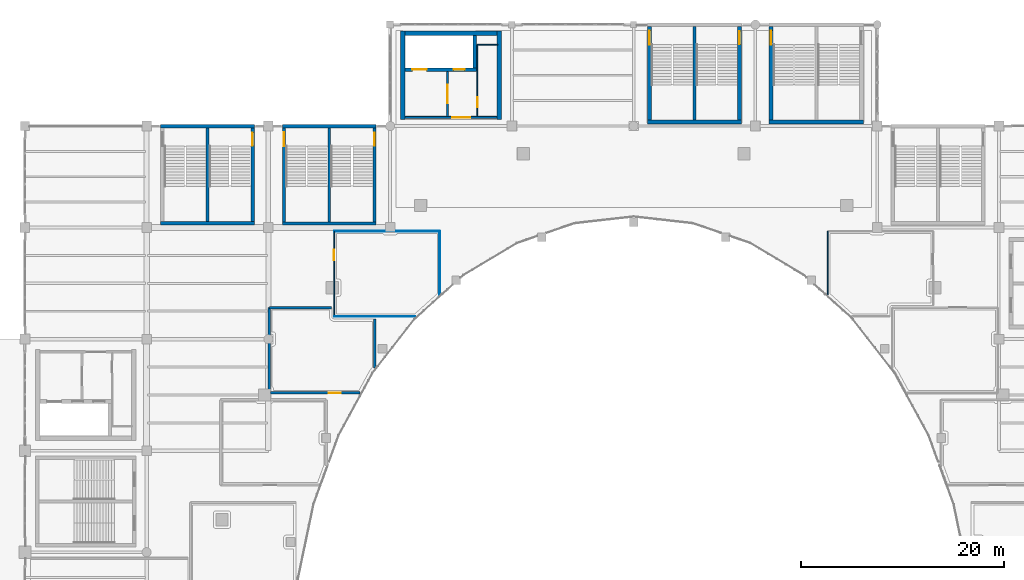
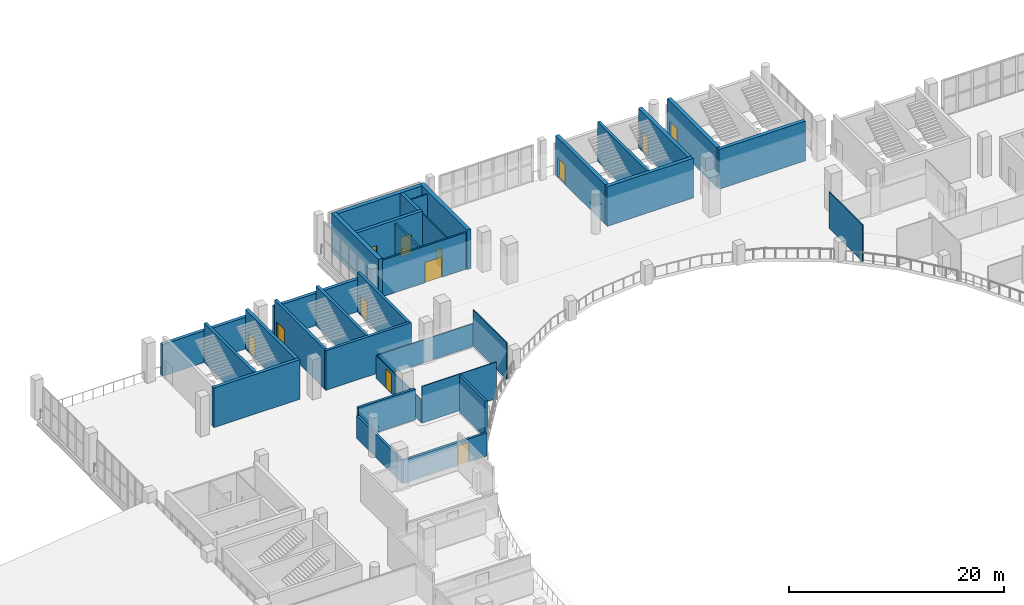
# One storey, part 64 of 90: 33 walls, 13 doors, 13 openings.
"""IFC4 building model written with IfcOpenShell, lengths in metres."""

from ifc_helpers import new_model, si_unit, direction, frame, frame_2d, origin, place, context, subcontext, project, spatial, rectangle, extrude, material, layer, layer_set, type_object, element, fill, save


model = new_model("IFC4")

# Units and contexts
model_context = context("Model", 3, precision=1e-05, world=origin(), true_north=direction((0.0, 1.0)))
body_context = subcontext(model_context, "Body", "Model", "MODEL_VIEW")
ifc_project = project(units=[si_unit("LENGTHUNIT", "METRE"), si_unit("AREAUNIT", "SQUARE_METRE"), si_unit("VOLUMEUNIT", "CUBIC_METRE"), si_unit("PLANEANGLEUNIT", "RADIAN"), si_unit("MASSUNIT", "GRAM", prefix="KILO")], contexts=[model_context])

# Site, building, storey
site_placement = place(None, origin())
site = spatial("IfcSite", under=ifc_project, at=site_placement, CompositionType="ELEMENT")
building_placement = place(site_placement, origin())
building = spatial("IfcBuilding", under=site, at=building_placement, Name="Brinegate Civic Arena", CompositionType="ELEMENT")
storey_placement = place(building_placement, frame((0.0, 0.0, 14.699951171875)))
storey = spatial("IfcBuildingStorey", under=building, at=storey_placement, Name="L03", CompositionType="ELEMENT", Elevation=14.699951171875)

# Wall
ifc_material_1 = material(Name="Concrete C50/60", Category="concrete")
ifc_layer_1 = layer(ifc_material_1, 0.35009765625, Name="Concrete C50/60")
ifc_layer_set_1 = layer_set([ifc_layer_1], Name="Concrete C50/60")
wall_type_1 = type_object("IfcWallType", Name="WALL-CORE-SHEAR-350", PredefinedType="SHEAR", material=ifc_layer_set_1)
wall_1_placement = place(storey_placement, frame((61.375, 104.39990234375, 0.0), z_axis=(0.0, 0.0, 1.0), x_axis=(1.0, 0.0, 0.0)))
element("IfcWall", 1, at=wall_1_placement, inside=storey, type_object=wall_type_1, Name="Stair ST-01 South Shear Wall L03 (WBB-17)", PredefinedType="SHEAR", context=body_context, shape_type="SweptSolid", body=[
    extrude(rectangle(XDim=9.25, YDim=0.35009765625, at=frame_2d((4.625, 0.0))), origin(), (0.0, 0.0, 1.0), 4.5),
])

# Wall, opening, door
wall_2_placement = place(storey_placement, frame((70.449951171875, 104.574951171875, 0.0), z_axis=(0.0, 0.0, 1.0), x_axis=(0.0, 1.0, 0.0)))
wall_2 = element("IfcWall", 2, at=wall_2_placement, inside=storey, type_object=wall_type_1, Name="Stair ST-01 East Shear Wall L03 (WBB-20)", PredefinedType="SHEAR", context=body_context, shape_type="SweptSolid", body=[
    extrude(rectangle(XDim=9.25, YDim=0.35009765625, at=frame_2d((4.625, 0.0))), origin(), (0.0, 0.0, 1.0), 4.5),
])
opening_1_placement = place(wall_2_placement, frame((7.465087890625, 0.0, 0.0)))
opening_1 = element("IfcOpeningElement", 3, at=opening_1_placement, cuts=wall_2, Name="Opening D-ST01B-L03", PredefinedType="OPENING", context=body_context, shape_type="SweptSolid", body=[
    extrude(rectangle(XDim=1.320068359375, YDim=2.199951171875, at=frame_2d((0.66015625, 1.10009765625))), frame((0.0, 0.18505859375, 0.0), z_axis=(0.0, -1.0, 0.0), x_axis=(1.0, 0.0, 0.0)), (0.0, 0.0, 1.0), 0.3701171875),
])
ifc_material_2 = material(Name="Galvanized hurricane steel", Category="steel")
door_type_1 = type_object("IfcDoorType", Name="DOOR-STAIR-2200X2200", OperationType="NOTDEFINED", PredefinedType="DOOR", material=ifc_material_2)
door_1_placement = place(opening_1_placement, origin())
door_1 = element("IfcDoor", 4, at=door_1_placement, inside=storey, type_object=door_type_1, Name="Protected Exit Stair Door D-ST01B-L03", OperationType="DOUBLE_DOOR_SINGLE_SWING", OverallHeight=2.199951171875, OverallWidth=1.320068359375, PredefinedType="DOOR", context=body_context, shape_type="SweptSolid", body=[
    extrude(rectangle(XDim=1.320068359375, YDim=2.199951171875, at=frame_2d((0.66015625, 1.10009765625))), frame((0.0, 0.02490234375, 0.0), z_axis=(0.0, -1.0, 0.0), x_axis=(1.0, 0.0, 0.0)), (0.0, 0.0, 1.0), 0.050048828125),
])
fill(opening_1, door_1)

# Wall, openings, doors
wall_3_placement = place(storey_placement, frame((85.4599609375, 119.550048828125, 0.0), z_axis=(0.0, 0.0, 1.0), x_axis=(1.0, 0.0, 0.0)))
wall_3 = element("IfcWall", 5, at=wall_3_placement, inside=storey, type_object=wall_type_1, Name="Core K3 Lift Shaft Front Wall L03 (WBG-75)", PredefinedType="SHEAR", context=body_context, shape_type="SweptSolid", body=[
    extrude(rectangle(XDim=7.06494140625, YDim=0.35009765625, at=frame_2d((3.532470703125, 0.0))), origin(), (0.0, 0.0, 1.0), 4.5),
])
opening_2_placement = place(wall_3_placement, frame((0.739990234375, 0.0, 0.0)))
opening_2 = element("IfcOpeningElement", 6, at=opening_2_placement, cuts=wall_3, Name="Opening LD-FL3-L03", PredefinedType="OPENING", context=body_context, shape_type="SweptSolid", body=[
    extrude(rectangle(XDim=1.39990234375, YDim=2.300048828125, at=frame_2d((0.699951171875, 1.14990234375))), frame((0.0, 0.18505859375, 0.0), z_axis=(0.0, -1.0, 0.0), x_axis=(1.0, 0.0, 0.0)), (0.0, 0.0, 1.0), 0.3701171875),
])
opening_3_placement = place(wall_3_placement, frame((4.7900390625, 0.0, 0.0)))
opening_3 = element("IfcOpeningElement", 7, at=opening_3_placement, cuts=wall_3, Name="Opening LD-PL5-L03", PredefinedType="OPENING", context=body_context, shape_type="SweptSolid", body=[
    extrude(rectangle(XDim=1.10009765625, YDim=2.199951171875, at=frame_2d((0.550048828125, 1.10009765625))), frame((0.0, 0.18505859375, 0.0), z_axis=(0.0, -1.0, 0.0), x_axis=(1.0, 0.0, 0.0)), (0.0, 0.0, 1.0), 0.3701171875),
])
ifc_material_3 = material(Name="Architectural stainless steel balustrade", Category="steel")
door_type_2 = type_object("IfcDoorType", Name="DOOR-LIFT-1100X2200", OperationType="SLIDING_TO_LEFT", PredefinedType="DOOR", material=ifc_material_3)
door_2_placement = place(opening_3_placement, origin())
door_2 = element("IfcDoor", 8, at=door_2_placement, inside=storey, type_object=door_type_2, Name="Sliding Lift Landing Door LD-PL5-L03", OperationType="SLIDING_TO_LEFT", OverallHeight=2.199951171875, OverallWidth=1.10009765625, PredefinedType="DOOR", context=body_context, shape_type="SweptSolid", body=[
    extrude(rectangle(XDim=1.10009765625, YDim=2.199951171875, at=frame_2d((0.550048828125, 1.10009765625))), frame((0.0, 0.02490234375, 0.0), z_axis=(0.0, -1.0, 0.0), x_axis=(1.0, 0.0, 0.0)), (0.0, 0.0, 1.0), 0.050048828125),
])
fill(opening_3, door_2)
door_type_3 = type_object("IfcDoorType", Name="DOOR-LIFT-1400X2300", OperationType="SLIDING_TO_LEFT", PredefinedType="DOOR", material=ifc_material_3)
door_3_placement = place(opening_2_placement, origin())
door_3 = element("IfcDoor", 9, at=door_3_placement, inside=storey, type_object=door_type_3, Name="Sliding Lift Landing Door LD-FL3-L03", OperationType="SLIDING_TO_LEFT", OverallHeight=2.300048828125, OverallWidth=1.39990234375, PredefinedType="DOOR", context=body_context, shape_type="SweptSolid", body=[
    extrude(rectangle(XDim=1.39990234375, YDim=2.300048828125, at=frame_2d((0.699951171875, 1.14990234375))), frame((0.0, 0.02490234375, 0.0), z_axis=(0.0, -1.0, 0.0), x_axis=(1.0, 0.0, 0.0)), (0.0, 0.0, 1.0), 0.050048828125),
])
fill(opening_2, door_3)

# Walls
wall_4_placement = place(storey_placement, frame((92.35009765625, 119.72509765625, 0.0), z_axis=(0.0, 0.0, 1.0), x_axis=(0.0, 1.0, 0.0)))
element("IfcWall", 10, at=wall_4_placement, inside=storey, type_object=wall_type_1, Name="Core K3 Lift Shaft End Wall L03 (WBG-76)", PredefinedType="SHEAR", context=body_context, shape_type="SweptSolid", body=[
    extrude(rectangle(XDim=3.21484375, YDim=0.35009765625, at=frame_2d((1.607421875, 0.0))), origin(), (0.0, 0.0, 1.0), 4.5),
])
ifc_layer_2 = layer(ifc_material_1, 0.389892578125, Name="Concrete C50/60")
ifc_layer_set_2 = layer_set([ifc_layer_2], Name="Concrete C50/60")
wall_type_2 = type_object("IfcWallType", Name="WALL-CORE-SHEAR-390", PredefinedType="SHEAR", material=ifc_layer_set_2)
wall_5_placement = place(storey_placement, frame((121.35498046875, 114.39990234375, 0.0), z_axis=(0.0, 0.0, 1.0), x_axis=(1.0, 0.0, 0.0)))
element("IfcWall", 11, at=wall_5_placement, inside=storey, type_object=wall_type_2, Name="Stair ST-03 South Shear Wall L03 (WBB-77)", PredefinedType="SHEAR", context=body_context, shape_type="SweptSolid", body=[
    extrude(rectangle(XDim=9.2900390625, YDim=0.389892578125, at=frame_2d((4.64501953125, 0.0))), origin(), (0.0, 0.0, 1.0), 4.5),
])

# Wall, opening, door
wall_6_placement = place(storey_placement, frame((121.550048828125, 114.594970703125, 0.0), z_axis=(0.0, 0.0, 1.0), x_axis=(0.0, 1.0, 0.0)))
wall_6 = element("IfcWall", 12, at=wall_6_placement, inside=storey, type_object=wall_type_2, Name="Stair ST-03 West Shear Wall L03 (WBB-79)", PredefinedType="SHEAR", context=body_context, shape_type="SweptSolid", body=[
    extrude(rectangle(XDim=9.22998046875, YDim=0.389892578125, at=frame_2d((4.614990234375, 0.0))), origin(), (0.0, 0.0, 1.0), 4.5),
])
opening_4_placement = place(wall_6_placement, frame((7.405029296875, 0.0, 0.0)))
opening_4 = element("IfcOpeningElement", 13, at=opening_4_placement, cuts=wall_6, Name="Opening D-ST03A-L03", PredefinedType="OPENING", context=body_context, shape_type="SweptSolid", body=[
    extrude(rectangle(XDim=1.39990234375, YDim=2.199951171875, at=frame_2d((0.699951171875, 1.10009765625))), frame((0.0, 0.204833984375, 0.0), z_axis=(0.0, -1.0, 0.0), x_axis=(1.0, 0.0, 0.0)), (0.0, 0.0, 1.0), 0.409912109375),
])
door_type_4 = type_object("IfcDoorType", Name="DOOR-STAIR-2400X2200", OperationType="NOTDEFINED", PredefinedType="DOOR", material=ifc_material_2)
door_4_placement = place(opening_4_placement, frame((1.39990234375, 0.0, 0.0), z_axis=(0.0, 0.0, 1.0), x_axis=(-1.0, 0.0, 0.0)))
door_4 = element("IfcDoor", 14, at=door_4_placement, inside=storey, type_object=door_type_4, Name="Protected Exit Stair Door D-ST03A-L03", OperationType="DOUBLE_DOOR_SINGLE_SWING", OverallHeight=2.199951171875, OverallWidth=1.39990234375, PredefinedType="DOOR", context=body_context, shape_type="SweptSolid", body=[
    extrude(rectangle(XDim=1.39990234375, YDim=2.199951171875, at=frame_2d((0.699951171875, 1.10009765625))), frame((0.0, 0.02490234375, 0.0), z_axis=(0.0, -1.0, 0.0), x_axis=(1.0, 0.0, 0.0)), (0.0, 0.0, 1.0), 0.050048828125),
])
fill(opening_4, door_4)

# Wall
wall_7_placement = place(storey_placement, frame((109.35498046875, 114.39990234375, 0.0), z_axis=(0.0, 0.0, 1.0), x_axis=(1.0, 0.0, 0.0)))
element("IfcWall", 15, at=wall_7_placement, inside=storey, type_object=wall_type_2, Name="Stair ST-15 South Shear Wall L03 (WBE-95)", PredefinedType="SHEAR", context=body_context, shape_type="SweptSolid", body=[
    extrude(rectangle(XDim=9.2900390625, YDim=0.389892578125, at=frame_2d((4.64501953125, 0.0))), origin(), (0.0, 0.0, 1.0), 4.5),
])

# Wall, opening, door
wall_8_placement = place(storey_placement, frame((109.550048828125, 114.594970703125, 0.0), z_axis=(0.0, 0.0, 1.0), x_axis=(0.0, 1.0, 0.0)))
wall_8 = element("IfcWall", 16, at=wall_8_placement, inside=storey, type_object=wall_type_2, Name="Stair ST-15 West Shear Wall L03 (WBE-97)", PredefinedType="SHEAR", context=body_context, shape_type="SweptSolid", body=[
    extrude(rectangle(XDim=9.22998046875, YDim=0.389892578125, at=frame_2d((4.614990234375, 0.0))), origin(), (0.0, 0.0, 1.0), 4.5),
])
opening_5_placement = place(wall_8_placement, frame((7.405029296875, 0.0, 0.0)))
opening_5 = element("IfcOpeningElement", 17, at=opening_5_placement, cuts=wall_8, Name="Opening D-ST15A-L03", PredefinedType="OPENING", context=body_context, shape_type="SweptSolid", body=[
    extrude(rectangle(XDim=1.39990234375, YDim=2.199951171875, at=frame_2d((0.699951171875, 1.10009765625))), frame((0.0, 0.204833984375, 0.0), z_axis=(0.0, -1.0, 0.0), x_axis=(1.0, 0.0, 0.0)), (0.0, 0.0, 1.0), 0.409912109375),
])
door_5_placement = place(opening_5_placement, frame((1.39990234375, 0.0, 0.0), z_axis=(0.0, 0.0, 1.0), x_axis=(-1.0, 0.0, 0.0)))
door_5 = element("IfcDoor", 18, at=door_5_placement, inside=storey, type_object=door_type_4, Name="Protected Exit Stair Door D-ST15A-L03", OperationType="DOUBLE_DOOR_SINGLE_SWING", OverallHeight=2.199951171875, OverallWidth=1.39990234375, PredefinedType="DOOR", context=body_context, shape_type="SweptSolid", body=[
    extrude(rectangle(XDim=1.39990234375, YDim=2.199951171875, at=frame_2d((0.699951171875, 1.10009765625))), frame((0.0, 0.02490234375, 0.0), z_axis=(0.0, -1.0, 0.0), x_axis=(1.0, 0.0, 0.0)), (0.0, 0.0, 1.0), 0.050048828125),
])
fill(opening_5, door_5)

wall_9_placement = place(storey_placement, frame((118.449951171875, 114.594970703125, 0.0), z_axis=(0.0, 0.0, 1.0), x_axis=(0.0, 1.0, 0.0)))
wall_9 = element("IfcWall", 19, at=wall_9_placement, inside=storey, type_object=wall_type_2, Name="Stair ST-15 East Shear Wall L03 (WBE-98)", PredefinedType="SHEAR", context=body_context, shape_type="SweptSolid", body=[
    extrude(rectangle(XDim=9.22998046875, YDim=0.389892578125, at=frame_2d((4.614990234375, 0.0))), origin(), (0.0, 0.0, 1.0), 4.5),
])
opening_6_placement = place(wall_9_placement, frame((7.445068359375, 0.0, 0.0)))
opening_6 = element("IfcOpeningElement", 20, at=opening_6_placement, cuts=wall_9, Name="Opening D-ST15B-L03", PredefinedType="OPENING", context=body_context, shape_type="SweptSolid", body=[
    extrude(rectangle(XDim=1.320068359375, YDim=2.199951171875, at=frame_2d((0.66015625, 1.10009765625))), frame((0.0, 0.204833984375, 0.0), z_axis=(0.0, -1.0, 0.0), x_axis=(1.0, 0.0, 0.0)), (0.0, 0.0, 1.0), 0.409912109375),
])
door_6_placement = place(opening_6_placement, origin())
door_6 = element("IfcDoor", 21, at=door_6_placement, inside=storey, type_object=door_type_1, Name="Protected Exit Stair Door D-ST15B-L03", OperationType="DOUBLE_DOOR_SINGLE_SWING", OverallHeight=2.199951171875, OverallWidth=1.320068359375, PredefinedType="DOOR", context=body_context, shape_type="SweptSolid", body=[
    extrude(rectangle(XDim=1.320068359375, YDim=2.199951171875, at=frame_2d((0.66015625, 1.10009765625))), frame((0.0, 0.02490234375, 0.0), z_axis=(0.0, -1.0, 0.0), x_axis=(1.0, 0.0, 0.0)), (0.0, 0.0, 1.0), 0.050048828125),
])
fill(opening_6, door_6)

# Walls
ifc_layer_3 = layer(ifc_material_1, 0.419921875, Name="Concrete C50/60")
ifc_layer_set_3 = layer_set([ifc_layer_3], Name="Concrete C50/60")
wall_type_3 = type_object("IfcWallType", Name="WALL-CORE-SHEAR-420", PredefinedType="SHEAR", material=ifc_layer_set_3)
for number, where, z_axis, x_axis, name in (
    (22, (85.25, 114.639892578125, 0.0), (0.0, 0.0, 1.0), (0.0, 1.0, 0.0), "Core K3 West Shear Wall L03 (WBG-72)"),
    (23, (94.75, 114.639892578125, 0.0), (0.0, 0.0, 1.0), (0.0, 1.0, 0.0), "Core K3 East Shear Wall L03 (WBG-73)"),
):
    element("IfcWall", number, at=place(storey_placement, frame(where, z_axis=z_axis, x_axis=x_axis)), inside=storey, type_object=wall_type_3, Name=name, PredefinedType="SHEAR", context=body_context, shape_type="SweptSolid", body=[
        extrude(rectangle(XDim=8.72021484375, YDim=0.419921875, at=frame_2d((4.360107421875, 0.0))), origin(), (0.0, 0.0, 1.0), 4.5),
    ])
wall_10_placement = place(storey_placement, frame((85.4599609375, 123.14990234375, 0.0), z_axis=(0.0, 0.0, 1.0), x_axis=(1.0, 0.0, 0.0)))
element("IfcWall", 24, at=wall_10_placement, inside=storey, type_object=wall_type_3, Name="Core K3 North Shear Wall L03 (WBG-74)", PredefinedType="SHEAR", context=body_context, shape_type="SweptSolid", body=[
    extrude(rectangle(XDim=9.080078125, YDim=0.419921875, at=frame_2d((4.5400390625, 0.0))), origin(), (0.0, 0.0, 1.0), 4.5),
])
ifc_layer_4 = layer(ifc_material_1, 0.35009765625, Name="Concrete C50/60")
ifc_layer_set_4 = layer_set([ifc_layer_4], Name="Concrete C50/60")
wall_type_4 = type_object("IfcWallType", Name="WALL-EXT-STAIR-SHEAR-350", PredefinedType="SHEAR", material=ifc_layer_set_4)
wall_11_placement = place(storey_placement, frame((61.375, 114.0, 0.0), z_axis=(0.0, 0.0, 1.0), x_axis=(1.0, 0.0, 0.0)))
element("IfcWall", 25, at=wall_11_placement, inside=storey, type_object=wall_type_4, Name="Stair ST-01 North Shear Wall L03 (WBB-18)", PredefinedType="SHEAR", context=body_context, shape_type="SweptSolid", body=[
    extrude(rectangle(XDim=9.25, YDim=0.35009765625, at=frame_2d((4.625, 0.0))), origin(), (0.0, 0.0, 1.0), 3.595947265625),
])
wall_12_placement = place(storey_placement, frame((73.405029296875, 114.0, 0.0), z_axis=(0.0, 0.0, 1.0), x_axis=(1.0, 0.0, 0.0)))
element("IfcWall", 26, at=wall_12_placement, inside=storey, type_object=wall_type_4, Name="Stair ST-11 North Shear Wall L03 (WBD-95)", PredefinedType="SHEAR", context=body_context, shape_type="SweptSolid", body=[
    extrude(rectangle(XDim=9.18994140625, YDim=0.35009765625, at=frame_2d((4.594970703125, 0.0))), origin(), (0.0, 0.0, 1.0), 3.674072265625),
])
ifc_material_4 = material(Name="Concrete C40/50", Category="concrete")
ifc_layer_5 = layer(ifc_material_4, 0.25, Name="Concrete C40/50")
ifc_layer_set_5 = layer_set([ifc_layer_5], Name="Concrete C40/50")
wall_type_5 = type_object("IfcWallType", Name="WALL-INT-SOLID-250", PredefinedType="SOLIDWALL", material=ifc_layer_set_5)
wall_13_placement = place(storey_placement, frame((72.10302734375, 96.093017578125, 0.0), z_axis=(0.0, 0.0, 1.0), x_axis=(1.0, 0.0, 0.0)))
element("IfcWall", 27, at=wall_13_placement, inside=storey, type_object=wall_type_5, Name="Hospitality Suite L03-11 Partition Wall E1 (WBJ-80)", PredefinedType="SOLIDWALL", context=body_context, shape_type="SweptSolid", body=[
    extrude(rectangle(XDim=6.1279296875, YDim=0.25, at=frame_2d((3.06396484375, 0.0))), origin(), (0.0, 0.0, 1.0), 3.489990234375),
])
wall_14_placement = place(storey_placement, frame((82.5029296875, 94.98095703125, 0.0), z_axis=(0.0, 0.0, 1.0), x_axis=(0.0, -1.0, 0.0)))
element("IfcWall", 28, at=wall_14_placement, inside=storey, type_object=wall_type_5, Name="Hospitality Suite L03-11 Partition Wall E14 (WBJ-81)", PredefinedType="SOLIDWALL", context=body_context, shape_type="SweptSolid", body=[
    extrude(rectangle(XDim=4.803955078125, YDim=0.25, at=frame_2d((2.40185546875, 0.0))), origin(), (0.0, 0.0, 1.0), 4.16015625),
])

# Wall, opening, door
wall_15_placement = place(storey_placement, frame((81.048095703125, 87.693115234375, 0.0), z_axis=(0.0, 0.0, 1.0), x_axis=(-1.0, 0.0, 0.0)))
wall_15 = element("IfcWall", 29, at=wall_15_placement, inside=storey, type_object=wall_type_5, Name="Hospitality Suite L03-11 Partition Wall E18 (WBJ-82)", PredefinedType="SOLIDWALL", context=body_context, shape_type="SweptSolid", body=[
    extrude(rectangle(XDim=8.945068359375, YDim=0.25, at=frame_2d((4.47265625, 0.0))), origin(), (0.0, 0.0, 1.0), 2.60302734375),
])
opening_7_placement = place(wall_15_placement, frame((1.929931640625, 0.0, 0.0)))
opening_7 = element("IfcOpeningElement", 30, at=opening_7_placement, cuts=wall_15, Name="Opening D-L03-202", PredefinedType="OPENING", context=body_context, shape_type="SweptSolid", body=[
    extrude(rectangle(XDim=1.14990234375, YDim=2.25, at=frame_2d((0.574951171875, 1.125))), frame((0.0, 0.135009765625, 0.0), z_axis=(0.0, -1.0, 0.0), x_axis=(1.0, 0.0, 0.0)), (0.0, 0.0, 1.0), 0.27001953125),
])
ifc_material_5 = material(Name="Hardwood acoustic timber door", Category="wood")
door_type_5 = type_object("IfcDoorType", Name="DOOR-SUITE-1150X2250", OperationType="NOTDEFINED", PredefinedType="DOOR", material=ifc_material_5)
door_7_placement = place(opening_7_placement, origin())
door_7 = element("IfcDoor", 31, at=door_7_placement, inside=storey, type_object=door_type_5, Name="Hospitality Suite L03-11 Door D-L03-202", OperationType="SINGLE_SWING_RIGHT", OverallHeight=2.25, OverallWidth=1.14990234375, PredefinedType="DOOR", context=body_context, shape_type="SweptSolid", body=[
    extrude(rectangle(XDim=1.14990234375, YDim=2.25, at=frame_2d((0.574951171875, 1.125))), frame((0.0, 0.02490234375, 0.0), z_axis=(0.0, -1.0, 0.0), x_axis=(1.0, 0.0, 0.0)), (0.0, 0.0, 1.0), 0.050048828125),
])
fill(opening_7, door_7)

# Walls
wall_16_placement = place(storey_placement, frame((72.10302734375, 87.693115234375, 0.0), z_axis=(0.0, 0.0, 1.0), x_axis=(0.0, 1.0, 0.0)))
element("IfcWall", 32, at=wall_16_placement, inside=storey, type_object=wall_type_5, Name="Hospitality Suite L03-11 Partition Wall E19 (WBJ-83)", PredefinedType="SOLIDWALL", context=body_context, shape_type="SweptSolid", body=[
    extrude(rectangle(XDim=8.39990234375, YDim=0.25, at=frame_2d((4.199951171875, 0.0))), origin(), (0.0, 0.0, 1.0), 2.60302734375),
])
ifc_material_6 = material(Name="Fire-rated gypsum partition assembly")
ifc_layer_6 = layer(ifc_material_6, 0.090087890625, Name="Fire-rated gypsum partition assembly")
ifc_layer_set_6 = layer_set([ifc_layer_6], Name="Fire-rated gypsum partition assembly")
wall_type_6 = type_object("IfcWallType", Name="WALL-PART-LIGHT-090", PredefinedType="PARTITIONING", material=ifc_layer_set_6)
wall_17_placement = place(storey_placement, frame((78.48095703125, 103.631103515625, 0.0), z_axis=(0.0, 0.0, 1.0), x_axis=(1.0, 0.0, 0.0)))
element("IfcWall", 33, at=wall_17_placement, inside=storey, type_object=wall_type_6, Name="Hospitality Suite L03-10 Partition Wall E1 (WBJ-76)", PredefinedType="PARTITIONING", context=body_context, shape_type="SweptSolid", body=[
    extrude(rectangle(XDim=10.400146484375, YDim=0.090087890625, at=frame_2d((5.2001953125, 0.0))), origin(), (0.0, 0.0, 1.0), 2.60302734375),
])
wall_18_placement = place(storey_placement, frame((88.881103515625, 103.631103515625, 0.0), z_axis=(0.0, 0.0, 1.0), x_axis=(0.0, -1.0, 0.0)))
element("IfcWall", 34, at=wall_18_placement, inside=storey, type_object=wall_type_6, Name="Hospitality Suite L03-10 Partition Wall E2 (WBJ-77)", PredefinedType="PARTITIONING", context=body_context, shape_type="SweptSolid", body=[
    extrude(rectangle(XDim=6.252197265625, YDim=0.090087890625, at=frame_2d((3.1259765625, 0.0))), origin(), (0.0, 0.0, 1.0), 4.16015625),
])
wall_19_placement = place(storey_placement, frame((86.491943359375, 95.23095703125, 0.0), z_axis=(0.0, 0.0, 1.0), x_axis=(-1.0, 0.0, 0.0)))
element("IfcWall", 35, at=wall_19_placement, inside=storey, type_object=wall_type_6, Name="Hospitality Suite L03-10 Partition Wall E4 (WBJ-78)", PredefinedType="PARTITIONING", context=body_context, shape_type="SweptSolid", body=[
    extrude(rectangle(XDim=8.010986328125, YDim=0.090087890625, at=frame_2d((4.00537109375, 0.0))), origin(), (0.0, 0.0, 1.0), 4.16015625),
])

# Wall, opening, door
wall_20_placement = place(storey_placement, frame((78.48095703125, 95.23095703125, 0.0), z_axis=(0.0, 0.0, 1.0), x_axis=(0.0, 1.0, 0.0)))
wall_20 = element("IfcWall", 36, at=wall_20_placement, inside=storey, type_object=wall_type_6, Name="Hospitality Suite L03-10 Partition Wall E5 (WBJ-79)", PredefinedType="PARTITIONING", context=body_context, shape_type="SweptSolid", body=[
    extrude(rectangle(XDim=8.400146484375, YDim=0.090087890625, at=frame_2d((4.2001953125, 0.0))), origin(), (0.0, 0.0, 1.0), 2.60302734375),
])
opening_8_placement = place(wall_20_placement, frame((5.52294921875, 0.0, 0.0)))
opening_8 = element("IfcOpeningElement", 37, at=opening_8_placement, cuts=wall_20, Name="Opening D-L03-201", PredefinedType="OPENING", context=body_context, shape_type="SweptSolid", body=[
    extrude(rectangle(XDim=1.050048828125, YDim=2.199951171875, at=frame_2d((0.52490234375, 1.10009765625))), frame((0.0, 0.054931640625, 0.0), z_axis=(0.0, -1.0, 0.0), x_axis=(1.0, 0.0, 0.0)), (0.0, 0.0, 1.0), 0.110107421875),
])
door_type_6 = type_object("IfcDoorType", Name="DOOR-SUITE-1050X2200", OperationType="NOTDEFINED", PredefinedType="DOOR", material=ifc_material_5)
door_8_placement = place(opening_8_placement, origin())
door_8 = element("IfcDoor", 38, at=door_8_placement, inside=storey, type_object=door_type_6, Name="Hospitality Suite L03-10 Door D-L03-201", OperationType="SINGLE_SWING_LEFT", OverallHeight=2.199951171875, OverallWidth=1.050048828125, PredefinedType="DOOR", context=body_context, shape_type="SweptSolid", body=[
    extrude(rectangle(XDim=1.050048828125, YDim=2.199951171875, at=frame_2d((0.52490234375, 1.10009765625))), frame((0.0, 0.02490234375, 0.0), z_axis=(0.0, -1.0, 0.0), x_axis=(1.0, 0.0, 0.0)), (0.0, 0.0, 1.0), 0.050048828125),
])
fill(opening_8, door_8)

ifc_material_7 = material(Name="Concrete blockwork masonry", Category="masonry")
ifc_layer_7 = layer(ifc_material_7, 0.18994140625, Name="Concrete blockwork masonry")
ifc_layer_set_7 = layer_set([ifc_layer_7], Name="Concrete blockwork masonry")
wall_type_7 = type_object("IfcWallType", Name="WALL-PART-RATED-190", PredefinedType="PARTITIONING", material=ifc_layer_set_7)
wall_21_placement = place(storey_placement, frame((85.469970703125, 114.85009765625, 0.0), z_axis=(0.0, 0.0, 1.0), x_axis=(1.0, 0.0, 0.0)))
wall_21 = element("IfcWall", 39, at=wall_21_placement, inside=storey, type_object=wall_type_7, Name="Core K3 Concourse Lobby Wall L03 (WBG-77)", PredefinedType="PARTITIONING", context=body_context, shape_type="SweptSolid", body=[
    extrude(rectangle(XDim=9.06005859375, YDim=0.18994140625, at=frame_2d((4.530029296875, 0.0))), origin(), (0.0, 0.0, 1.0), 4.16015625),
])
opening_9_placement = place(wall_21_placement, frame((4.64990234375, 0.0, 0.0)))
opening_9 = element("IfcOpeningElement", 40, at=opening_9_placement, cuts=wall_21, Name="Opening D-K3L-L03", PredefinedType="OPENING", context=body_context, shape_type="SweptSolid", body=[
    extrude(rectangle(XDim=1.800048828125, YDim=2.300048828125, at=frame_2d((0.89990234375, 1.14990234375))), frame((0.0, 0.10498046875, 0.0), z_axis=(0.0, -1.0, 0.0), x_axis=(1.0, 0.0, 0.0)), (0.0, 0.0, 1.0), 0.2099609375),
])
ifc_material_8 = material(Name="Marine grade aluminium", Category="aluminium")
door_type_7 = type_object("IfcDoorType", Name="DOOR-CONC-1800X2300", OperationType="NOTDEFINED", PredefinedType="DOOR", material=ifc_material_8)
door_9_placement = place(opening_9_placement, origin())
door_9 = element("IfcDoor", 41, at=door_9_placement, inside=storey, type_object=door_type_7, Name="Lift Lobby Door D-K3L-L03", OperationType="DOUBLE_DOOR_SINGLE_SWING", OverallHeight=2.300048828125, OverallWidth=1.800048828125, PredefinedType="DOOR", context=body_context, shape_type="SweptSolid", body=[
    extrude(rectangle(XDim=1.800048828125, YDim=2.300048828125, at=frame_2d((0.89990234375, 1.14990234375))), frame((0.0, 0.02490234375, 0.0), z_axis=(0.0, -1.0, 0.0), x_axis=(1.0, 0.0, 0.0)), (0.0, 0.0, 1.0), 0.050048828125),
])
fill(opening_9, door_9)

wall_22_placement = place(storey_placement, frame((89.64990234375, 114.949951171875, 0.0), z_axis=(0.0, 0.0, 1.0), x_axis=(0.0, 1.0, 0.0)))
wall_22 = element("IfcWall", 42, at=wall_22_placement, inside=storey, type_object=wall_type_7, Name="Firefighting Lobby K3 Wall L03 (WBG-78)", PredefinedType="PARTITIONING", context=body_context, shape_type="SweptSolid", body=[
    extrude(rectangle(XDim=4.425048828125, YDim=0.18994140625, at=frame_2d((2.21240234375, 0.0))), origin(), (0.0, 0.0, 1.0), 4.16015625),
])
opening_10_placement = place(wall_22_placement, frame((1.31298828125, 0.0, 0.0)))
opening_10 = element("IfcOpeningElement", 43, at=opening_10_placement, cuts=wall_22, Name="Opening D-K3F-L03", PredefinedType="OPENING", context=body_context, shape_type="SweptSolid", body=[
    extrude(rectangle(XDim=1.800048828125, YDim=2.199951171875, at=frame_2d((0.89990234375, 1.10009765625))), frame((0.0, 0.10498046875, 0.0), z_axis=(0.0, -1.0, 0.0), x_axis=(1.0, 0.0, 0.0)), (0.0, 0.0, 1.0), 0.2099609375),
])
door_type_8 = type_object("IfcDoorType", Name="DOOR-FFLOB-1800X2200", OperationType="NOTDEFINED", PredefinedType="DOOR", material=ifc_material_2)
door_10_placement = place(opening_10_placement, origin())
door_10 = element("IfcDoor", 44, at=door_10_placement, inside=storey, type_object=door_type_8, Name="Firefighting Lift Lobby Door D-K3F-L03", OperationType="DOUBLE_DOOR_SINGLE_SWING", OverallHeight=2.199951171875, OverallWidth=1.800048828125, PredefinedType="DOOR", context=body_context, shape_type="SweptSolid", body=[
    extrude(rectangle(XDim=1.800048828125, YDim=2.199951171875, at=frame_2d((0.89990234375, 1.10009765625))), frame((0.0, 0.02490234375, 0.0), z_axis=(0.0, -1.0, 0.0), x_axis=(1.0, 0.0, 0.0)), (0.0, 0.0, 1.0), 0.050048828125),
])
fill(opening_10, door_10)

ifc_layer_8 = layer(ifc_material_7, 0.10009765625, Name="Concrete blockwork masonry")
ifc_layer_set_8 = layer_set([ifc_layer_8], Name="Concrete blockwork masonry")
wall_type_8 = type_object("IfcWallType", Name="WALL-PART-WET-100", PredefinedType="PARTITIONING", material=ifc_layer_set_8)
wall_23_placement = place(storey_placement, frame((92.60009765625, 114.949951171875, 0.0), z_axis=(0.0, 0.0, 1.0), x_axis=(0.0, 1.0, 0.0)))
wall_23 = element("IfcWall", 45, at=wall_23_placement, inside=storey, type_object=wall_type_8, Name="Accessible WC K3 Partition L03 (WBG-79)", PredefinedType="PARTITIONING", context=body_context, shape_type="SweptSolid", body=[
    extrude(rectangle(XDim=7.050048828125, YDim=0.10009765625, at=frame_2d((3.52490234375, 0.0))), origin(), (0.0, 0.0, 1.0), 4.16015625),
])
opening_11_placement = place(wall_23_placement, frame((0.89990234375, 0.0, 0.0)))
opening_11 = element("IfcOpeningElement", 46, at=opening_11_placement, cuts=wall_23, Name="Opening D-K3W-L03", PredefinedType="OPENING", context=body_context, shape_type="SweptSolid", body=[
    extrude(rectangle(XDim=1.0, YDim=2.10009765625, at=frame_2d((0.5, 1.050048828125))), frame((0.0, 0.06005859375, 0.0), z_axis=(0.0, -1.0, 0.0), x_axis=(1.0, 0.0, 0.0)), (0.0, 0.0, 1.0), 0.1201171875),
])
door_type_9 = type_object("IfcDoorType", Name="DOOR-AWC-1000X2100", OperationType="NOTDEFINED", PredefinedType="DOOR", material=ifc_material_5)
door_11_placement = place(opening_11_placement, origin())
door_11 = element("IfcDoor", 47, at=door_11_placement, inside=storey, type_object=door_type_9, Name="Accessible WC Door D-K3W-L03", OperationType="SINGLE_SWING_RIGHT", OverallHeight=2.10009765625, OverallWidth=1.0, PredefinedType="DOOR", context=body_context, shape_type="SweptSolid", body=[
    extrude(rectangle(XDim=1.0, YDim=2.10009765625, at=frame_2d((0.5, 1.050048828125))), frame((0.0, 0.02490234375, 0.0), z_axis=(0.0, -1.0, 0.0), x_axis=(1.0, 0.0, 0.0)), (0.0, 0.0, 1.0), 0.050048828125),
])
fill(opening_11, door_11)

# Walls
wall_24_placement = place(storey_placement, frame((92.60009765625, 122.0, 0.0), z_axis=(0.0, 0.0, 1.0), x_axis=(1.0, 0.0, 0.0)))
element("IfcWall", 48, at=wall_24_placement, inside=storey, type_object=wall_type_8, Name="Accessible WC K3 Back Partition L03 (WBG-80)", PredefinedType="PARTITIONING", context=body_context, shape_type="SweptSolid", body=[
    extrude(rectangle(XDim=2.0, YDim=0.10009765625, at=frame_2d((1.0, 0.0))), origin(), (0.0, 0.0, 1.0), 4.16015625),
])
wall_25_placement = place(storey_placement, frame((127.118896484375, 97.37890625, 0.0), z_axis=(0.0, 0.0, 1.0), x_axis=(0.0, 1.0, 0.0)))
element("IfcWall", 49, at=wall_25_placement, inside=storey, type_object=wall_type_8, Name="Hospitality Suite L03-09 Partition Wall E15 (WBJ-74)", PredefinedType="PARTITIONING", context=body_context, shape_type="SweptSolid", body=[
    extrude(rectangle(XDim=6.252197265625, YDim=0.10009765625, at=frame_2d((3.1259765625, 0.0))), origin(), (0.0, 0.0, 1.0), 4.16015625),
])
ifc_layer_9 = layer(ifc_material_1, 0.2900390625, Name="Concrete C50/60")
ifc_layer_set_9 = layer_set([ifc_layer_9], Name="Concrete C50/60")
wall_type_9 = type_object("IfcWallType", Name="WALL-STAIR-SHEAR-290", PredefinedType="SHEAR", material=ifc_layer_set_9)
wall_26_placement = place(storey_placement, frame((66.0, 104.574951171875, 0.0), z_axis=(0.0, 0.0, 1.0), x_axis=(0.0, 1.0, 0.0)))
element("IfcWall", 50, at=wall_26_placement, inside=storey, type_object=wall_type_9, Name="Stair ST-01 Central Dividing Shear Wall L03 (WBB-21)", PredefinedType="SHEAR", context=body_context, shape_type="SweptSolid", body=[
    extrude(rectangle(XDim=9.25, YDim=0.2900390625, at=frame_2d((4.625, 0.0))), origin(), (0.0, 0.0, 1.0), 4.5),
])
wall_27_placement = place(storey_placement, frame((73.405029296875, 104.39990234375, 0.0), z_axis=(0.0, 0.0, 1.0), x_axis=(1.0, 0.0, 0.0)))
element("IfcWall", 51, at=wall_27_placement, inside=storey, type_object=wall_type_9, Name="Stair ST-11 South Shear Wall L03 (WBD-94)", PredefinedType="SHEAR", context=body_context, shape_type="SweptSolid", body=[
    extrude(rectangle(XDim=9.18994140625, YDim=0.2900390625, at=frame_2d((4.594970703125, 0.0))), origin(), (0.0, 0.0, 1.0), 4.5),
])

# Wall, opening, door
wall_28_placement = place(storey_placement, frame((73.550048828125, 104.544921875, 0.0), z_axis=(0.0, 0.0, 1.0), x_axis=(0.0, 1.0, 0.0)))
wall_28 = element("IfcWall", 52, at=wall_28_placement, inside=storey, type_object=wall_type_9, Name="Stair ST-11 West Shear Wall L03 (WBD-96)", PredefinedType="SHEAR", context=body_context, shape_type="SweptSolid", body=[
    extrude(rectangle(XDim=9.280029296875, YDim=0.2900390625, at=frame_2d((4.64013671875, 0.0))), origin(), (0.0, 0.0, 1.0), 4.5),
])
opening_12_placement = place(wall_28_placement, frame((7.455078125, 0.0, 0.0)))
opening_12 = element("IfcOpeningElement", 53, at=opening_12_placement, cuts=wall_28, Name="Opening D-ST11A-L03", PredefinedType="OPENING", context=body_context, shape_type="SweptSolid", body=[
    extrude(rectangle(XDim=1.39990234375, YDim=2.199951171875, at=frame_2d((0.699951171875, 1.10009765625))), frame((0.0, 0.155029296875, 0.0), z_axis=(0.0, -1.0, 0.0), x_axis=(1.0, 0.0, 0.0)), (0.0, 0.0, 1.0), 0.31005859375),
])
door_12_placement = place(opening_12_placement, frame((1.39990234375, 0.0, 0.0), z_axis=(0.0, 0.0, 1.0), x_axis=(-1.0, 0.0, 0.0)))
door_12 = element("IfcDoor", 54, at=door_12_placement, inside=storey, type_object=door_type_4, Name="Protected Exit Stair Door D-ST11A-L03", OperationType="DOUBLE_DOOR_SINGLE_SWING", OverallHeight=2.199951171875, OverallWidth=1.39990234375, PredefinedType="DOOR", context=body_context, shape_type="SweptSolid", body=[
    extrude(rectangle(XDim=1.39990234375, YDim=2.199951171875, at=frame_2d((0.699951171875, 1.10009765625))), frame((0.0, 0.02490234375, 0.0), z_axis=(0.0, -1.0, 0.0), x_axis=(1.0, 0.0, 0.0)), (0.0, 0.0, 1.0), 0.050048828125),
])
fill(opening_12, door_12)

wall_29_placement = place(storey_placement, frame((82.449951171875, 104.544921875, 0.0), z_axis=(0.0, 0.0, 1.0), x_axis=(0.0, 1.0, 0.0)))
wall_29 = element("IfcWall", 55, at=wall_29_placement, inside=storey, type_object=wall_type_9, Name="Stair ST-11 East Shear Wall L03 (WBD-97)", PredefinedType="SHEAR", context=body_context, shape_type="SweptSolid", body=[
    extrude(rectangle(XDim=9.280029296875, YDim=0.2900390625, at=frame_2d((4.64013671875, 0.0))), origin(), (0.0, 0.0, 1.0), 4.5),
])
opening_13_placement = place(wall_29_placement, frame((7.4951171875, 0.0, 0.0)))
opening_13 = element("IfcOpeningElement", 56, at=opening_13_placement, cuts=wall_29, Name="Opening D-ST11B-L03", PredefinedType="OPENING", context=body_context, shape_type="SweptSolid", body=[
    extrude(rectangle(XDim=1.320068359375, YDim=2.199951171875, at=frame_2d((0.66015625, 1.10009765625))), frame((0.0, 0.155029296875, 0.0), z_axis=(0.0, -1.0, 0.0), x_axis=(1.0, 0.0, 0.0)), (0.0, 0.0, 1.0), 0.31005859375),
])
door_13_placement = place(opening_13_placement, origin())
door_13 = element("IfcDoor", 57, at=door_13_placement, inside=storey, type_object=door_type_1, Name="Protected Exit Stair Door D-ST11B-L03", OperationType="DOUBLE_DOOR_SINGLE_SWING", OverallHeight=2.199951171875, OverallWidth=1.320068359375, PredefinedType="DOOR", context=body_context, shape_type="SweptSolid", body=[
    extrude(rectangle(XDim=1.320068359375, YDim=2.199951171875, at=frame_2d((0.66015625, 1.10009765625))), frame((0.0, 0.02490234375, 0.0), z_axis=(0.0, -1.0, 0.0), x_axis=(1.0, 0.0, 0.0)), (0.0, 0.0, 1.0), 0.050048828125),
])
fill(opening_13, door_13)

# Walls
wall_30_placement = place(storey_placement, frame((78.0, 104.544921875, 0.0), z_axis=(0.0, 0.0, 1.0), x_axis=(0.0, 1.0, 0.0)))
element("IfcWall", 58, at=wall_30_placement, inside=storey, type_object=wall_type_9, Name="Stair ST-11 Central Dividing Shear Wall L03 (WBD-98)", PredefinedType="SHEAR", context=body_context, shape_type="SweptSolid", body=[
    extrude(rectangle(XDim=9.280029296875, YDim=0.2900390625, at=frame_2d((4.64013671875, 0.0))), origin(), (0.0, 0.0, 1.0), 4.5),
])
wall_31_placement = place(storey_placement, frame((114.0, 114.594970703125, 0.0), z_axis=(0.0, 0.0, 1.0), x_axis=(0.0, 1.0, 0.0)))
element("IfcWall", 59, at=wall_31_placement, inside=storey, type_object=wall_type_9, Name="Stair ST-15 Central Dividing Shear Wall L03 (WBE-99)", PredefinedType="SHEAR", context=body_context, shape_type="SweptSolid", body=[
    extrude(rectangle(XDim=9.22998046875, YDim=0.2900390625, at=frame_2d((4.614990234375, 0.0))), origin(), (0.0, 0.0, 1.0), 4.5),
])

save(model, "model.ifc")
